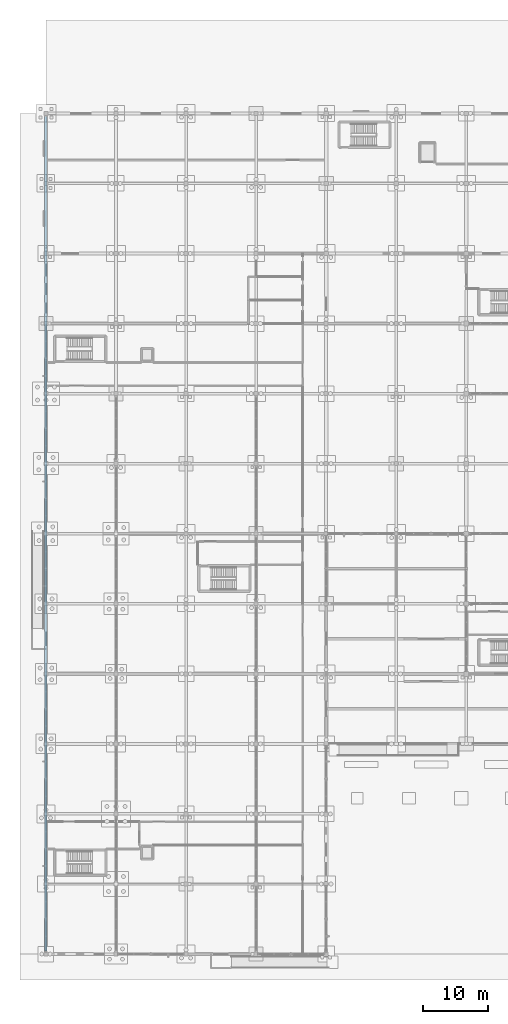
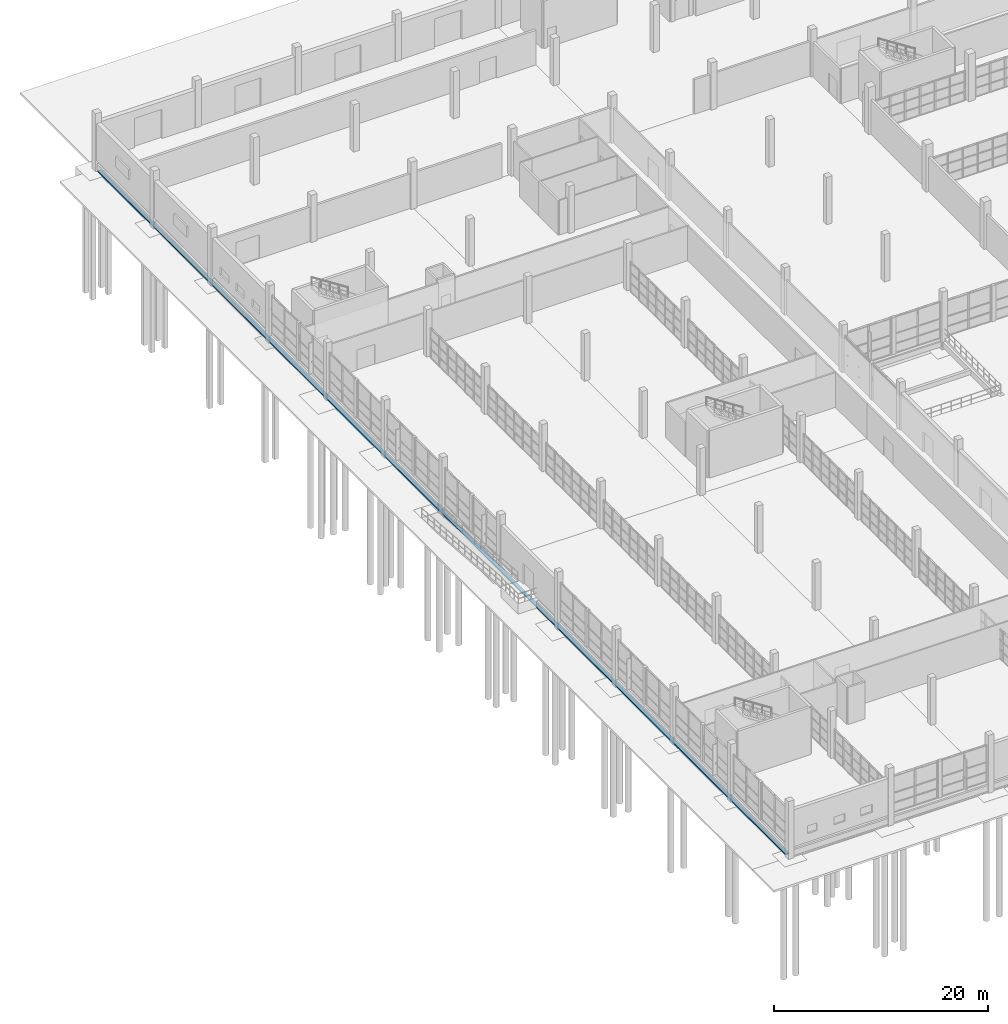
# One storey, part 102 of 138: 1 wall.
"""IFC4 building model written with IfcOpenShell, lengths in metres."""

from ifc_helpers import new_model, si_unit, direction, frame, frame_2d, origin, place, context, subcontext, project, spatial, rectangle, extrude, material, layer, layer_set, type_object, element, save


model = new_model("IFC4")

# Units and contexts
model_context = context("Model", 3, precision=1e-05, world=origin(), true_north=direction((0.0, 1.0)))
body_context = subcontext(model_context, "Body", "Model", "MODEL_VIEW")
ifc_project = project(units=[si_unit("LENGTHUNIT", "METRE"), si_unit("AREAUNIT", "SQUARE_METRE"), si_unit("VOLUMEUNIT", "CUBIC_METRE"), si_unit("PLANEANGLEUNIT", "RADIAN"), si_unit("MASSUNIT", "GRAM", prefix="KILO")], contexts=[model_context])

# Site, building, storey
site_placement = place(None, origin())
site = spatial("IfcSite", under=ifc_project, at=site_placement, CompositionType="ELEMENT")
building_placement = place(site_placement, origin())
building = spatial("IfcBuilding", under=site, at=building_placement, Name="Zwinboog Wholesale Market", CompositionType="ELEMENT")
storey_placement = place(building_placement, origin())
storey = spatial("IfcBuildingStorey", under=building, at=storey_placement, Name="L00", CompositionType="ELEMENT", Elevation=0.0)

# Wall
ifc_material = material(Name="Concrete C40/50", Category="concrete")
ifc_layer = layer(ifc_material, 0.3740234375)
ifc_layer_set = layer_set([ifc_layer], Name="Concrete C40/50")
wall_type = type_object("IfcWallType", Name="WT-RW-374", PredefinedType="USERDEFINED", material=ifc_layer_set)
wall_placement = place(storey_placement, frame((0.0, 0.449951171875, -1.199951171875), z_axis=(0.0, 0.0, 1.0), x_axis=(0.0, 1.0, 0.0)))
element("IfcWall", 1, at=wall_placement, inside=storey, type_object=wall_type, Name="RW-02 (WL-RET-03)", ObjectType="RETAININGWALL", PredefinedType="USERDEFINED", context=body_context, shape_type="SweptSolid", body=[
    extrude(rectangle(XDim=128.699951171875, YDim=0.3740234375, at=frame_2d((64.35009765625, 0.0))), origin(), (0.0, 0.0, 1.0), 0.139892578125),
])

save(model, "model.ifc")
